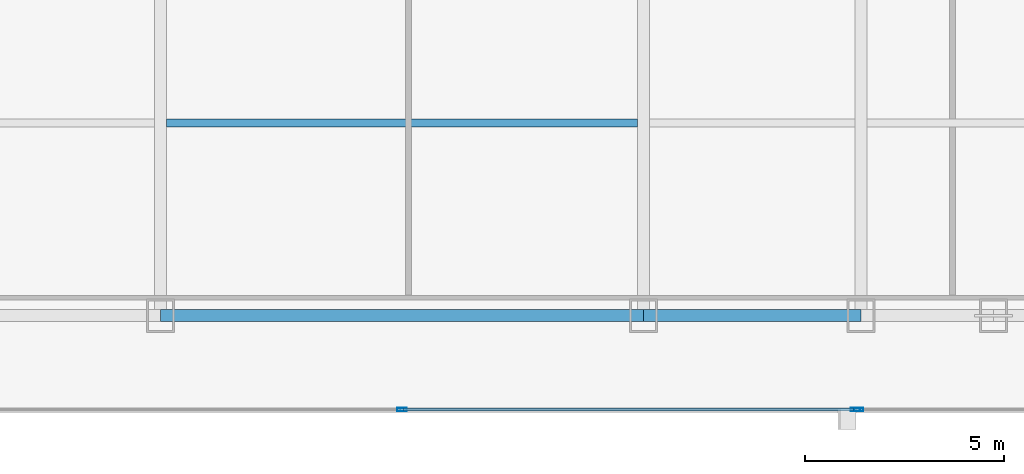
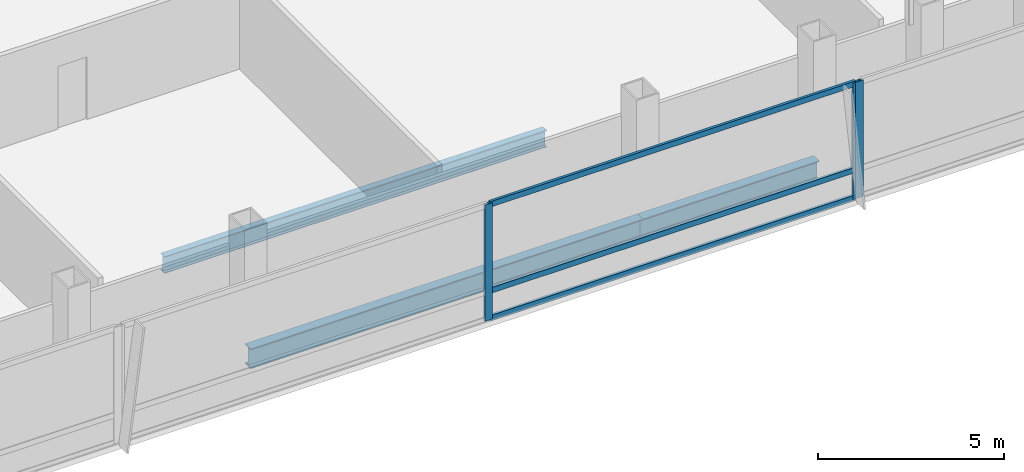
# One storey, part 13 of 30: 6 members, 3 beams, 2 elements without a shape of their own.
"""IFC4 building model written with IfcOpenShell, lengths in metres."""

from ifc_helpers import new_model, si_unit, direction, frame, origin, origin_2d, place, context, subcontext, project, spatial, hollow_rectangle, i_section, extrude, material, material_profile, profile_set, type_object, element, aggregate, save


model = new_model("IFC4")

# Units and contexts
model_context = context("Model", 3, precision=1e-05, world=origin(), true_north=direction((0.0, 1.0)))
body_context = subcontext(model_context, "Body", "Model", "MODEL_VIEW")
ifc_project = project(units=[si_unit("LENGTHUNIT", "METRE"), si_unit("AREAUNIT", "SQUARE_METRE"), si_unit("VOLUMEUNIT", "CUBIC_METRE"), si_unit("PLANEANGLEUNIT", "RADIAN"), si_unit("MASSUNIT", "GRAM", prefix="KILO")], contexts=[model_context])

# Site, building, storey
site_placement = place(None, origin())
site = spatial("IfcSite", under=ifc_project, at=site_placement, CompositionType="ELEMENT")
building_placement = place(site_placement, origin())
building = spatial("IfcBuilding", under=site, at=building_placement, Name="Khoronbel Lancet Exchange", CompositionType="ELEMENT")
storey_placement = place(building_placement, frame((0.0, 0.0, 90.60009765625)))
storey = spatial("IfcBuildingStorey", under=building, at=storey_placement, Name="L21", CompositionType="ELEMENT", Elevation=90.60009765625)

# Beams
ifc_material_1 = material(Name="Steel S355", Category="steel")
ifc_material_profile_1 = material_profile(ifc_material_1, i_section(OverallWidth=0.2099609375, OverallDepth=0.550048828125, WebThickness=0.010986328125, FlangeThickness=0.01708984375, at=origin_2d()), Name="IPE 550")
ifc_profile_set_1 = profile_set([ifc_material_profile_1], Name="Steel S355")
beam_type_1 = type_object("IfcBeamType", Name="BM-BJ2", PredefinedType="JOIST", material=ifc_profile_set_1)
beam_1_placement = place(storey_placement, frame((30.52490234375, 15.0, -0.455078125), z_axis=(1.0, 0.0, 0.0), x_axis=(0.0, 1.0, 0.0)))
element("IfcBeam", 1, at=beam_1_placement, inside=storey, type_object=beam_type_1, Name="Level L21 secondary composite joist J03", PredefinedType="JOIST", context=body_context, shape_type="SweptSolid", body=[
    extrude(i_section(OverallWidth=0.2099609375, OverallDepth=0.550048828125, WebThickness=0.010986328125, FlangeThickness=0.01708984375, at=origin_2d()), origin(), (0.0, 0.0, 1.0), 11.85009765625),
])
ifc_material_profile_2 = material_profile(ifc_material_1, i_section(OverallWidth=0.300048828125, OverallDepth=0.64990234375, WebThickness=0.01611328125, FlangeThickness=0.031005859375, at=origin_2d()), Name="HEB 650")
ifc_profile_set_2 = profile_set([ifc_material_profile_2], Name="Steel S355")
beam_type_2 = type_object("IfcBeamType", Name="BM-BSP1", PredefinedType="SPANDREL", material=ifc_profile_set_2)
beam_2_placement = place(storey_placement, frame((30.375, 10.14990234375, -0.505126953125), z_axis=(1.0, 0.0, 0.0), x_axis=(0.0, 1.0, 0.0)))
element("IfcBeam", 2, at=beam_2_placement, inside=storey, type_object=beam_type_2, Name="Level L21 perimeter spandrel beam SP05", PredefinedType="SPANDREL", context=body_context, shape_type="SweptSolid", body=[
    extrude(i_section(OverallWidth=0.300048828125, OverallDepth=0.64990234375, WebThickness=0.01611328125, FlangeThickness=0.031005859375, at=origin_2d()), origin(), (0.0, 0.0, 1.0), 12.14990234375),
])
beam_3_placement = place(storey_placement, frame((42.52490234375, 10.14990234375, -0.505126953125), z_axis=(1.0, 0.0, 0.0), x_axis=(0.0, 1.0, 0.0)))
element("IfcBeam", 3, at=beam_3_placement, inside=storey, type_object=beam_type_2, Name="Level L21 perimeter spandrel beam SP06", PredefinedType="SPANDREL", context=body_context, shape_type="SweptSolid", body=[
    extrude(i_section(OverallWidth=0.300048828125, OverallDepth=0.64990234375, WebThickness=0.01611328125, FlangeThickness=0.031005859375, at=origin_2d()), origin(), (0.0, 0.0, 1.0), 5.47509765625),
])

# Curtain wall, members
ifc_material_2 = material(Name="Low-E Solar Control Insulating Glass", Category="glass")
curtain_wall_type = type_object("IfcCurtainWallType", Name="CW-2", PredefinedType="NOTDEFINED", material=ifc_material_2)
curtain_wall_1_placement = place(storey_placement, origin())
curtain_wall_1 = element("IfcCurtainWall", 4, at=curtain_wall_1_placement, inside=storey, type_object=curtain_wall_type, Name="Unitised curtain wall CW-L21-SCV", PredefinedType="NOTDEFINED")
ifc_material_3 = material(Name="Bronze-Anodised Aluminium 6063-T6", Category="aluminium")
ifc_material_profile_3 = material_profile(ifc_material_3, hollow_rectangle(XDim=0.0849609375, YDim=0.239990234375, WallThickness=0.006103515625, at=origin_2d()), Name="ALU MULLION 85x240")
ifc_profile_set_3 = profile_set([ifc_material_profile_3], Name="Bronze-Anodised Aluminium 6063-T6")
member_type_1 = type_object("IfcMemberType", Name="MEM-CWM1", PredefinedType="MULLION", material=ifc_profile_set_3)
member_1_placement = place(storey_placement, frame((36.449951171875, 7.7900390625, 0.0), z_axis=(0.0, 0.0, 1.0), x_axis=(0.0, 1.0, 0.0)))
member_1 = element("IfcMember", 5, at=member_1_placement, type_object=member_type_1, Name="CW2 mullion 2", PredefinedType="MULLION", context=body_context, shape_type="SweptSolid", body=[
    extrude(hollow_rectangle(XDim=0.0849609375, YDim=0.239990234375, WallThickness=0.006103515625, at=origin_2d()), origin(), (0.0, 0.0, 1.0), 3.81982421875),
])
member_2_placement = place(storey_placement, frame((47.857421875, 7.7900390625, 0.0), z_axis=(0.0, 0.0, 1.0), x_axis=(0.0, 1.0, 0.0)))
member_2 = element("IfcMember", 6, at=member_2_placement, type_object=member_type_1, Name="CW2 mullion 3", PredefinedType="MULLION", context=body_context, shape_type="SweptSolid", body=[
    extrude(hollow_rectangle(XDim=0.0849609375, YDim=0.239990234375, WallThickness=0.006103515625, at=origin_2d()), origin(), (0.0, 0.0, 1.0), 3.81982421875),
])

# Curtain wall, member
curtain_wall_2_placement = place(storey_placement, origin())
curtain_wall_2 = element("IfcCurtainWall", 7, at=curtain_wall_2_placement, inside=storey, type_object=curtain_wall_type, Name="Unitised curtain wall CW-L21-SEB", PredefinedType="NOTDEFINED")
member_3_placement = place(storey_placement, frame((47.9423828125, 7.7900390625, 0.0), z_axis=(0.0, 0.0, 1.0), x_axis=(0.0, 1.0, 0.0)))
member_3 = element("IfcMember", 8, at=member_3_placement, type_object=member_type_1, Name="CW2 mullion 1", PredefinedType="MULLION", context=body_context, shape_type="SweptSolid", body=[
    extrude(hollow_rectangle(XDim=0.0849609375, YDim=0.239990234375, WallThickness=0.006103515625, at=origin_2d()), origin(), (0.0, 0.0, 1.0), 3.81982421875),
])
aggregate(curtain_wall_2, [member_3])

# Member
ifc_material_profile_4 = material_profile(ifc_material_3, hollow_rectangle(XDim=0.0849609375, YDim=0.179931640625, WallThickness=0.0048828125, at=origin_2d()), Name="ALU TRANSOM 85x180")
ifc_profile_set_4 = profile_set([ifc_material_profile_4], Name="Bronze-Anodised Aluminium 6063-T6")
member_type_2 = type_object("IfcMemberType", Name="MEM-CWT1", PredefinedType="USERDEFINED", material=ifc_profile_set_4)
member_4_placement = place(storey_placement, frame((36.492431640625, 7.7900390625, 0.04248046875), z_axis=(1.0, 0.0, 0.0), x_axis=(0.0, 1.0, 0.0)))
member_4 = element("IfcMember", 9, at=member_4_placement, type_object=member_type_2, Name="CW2 transom 2.1", ObjectType="TRANSOM", PredefinedType="USERDEFINED", context=body_context, shape_type="SweptSolid", body=[
    extrude(hollow_rectangle(XDim=0.0849609375, YDim=0.179931640625, WallThickness=0.0048828125, at=origin_2d()), origin(), (0.0, 0.0, 1.0), 11.322509765625),
])

member_5_placement = place(storey_placement, frame((36.492431640625, 7.7900390625, 0.949951171875), z_axis=(1.0, 0.0, 0.0), x_axis=(0.0, 1.0, 0.0)))
member_5 = element("IfcMember", 10, at=member_5_placement, type_object=member_type_2, Name="CW2 transom 2.2", ObjectType="TRANSOM", PredefinedType="USERDEFINED", context=body_context, shape_type="SweptSolid", body=[
    extrude(hollow_rectangle(XDim=0.0849609375, YDim=0.179931640625, WallThickness=0.0048828125, at=origin_2d()), origin(), (0.0, 0.0, 1.0), 11.322509765625),
])

member_6_placement = place(storey_placement, frame((36.492431640625, 7.7900390625, 3.77734375), z_axis=(1.0, 0.0, 0.0), x_axis=(0.0, 1.0, 0.0)))
member_6 = element("IfcMember", 11, at=member_6_placement, type_object=member_type_2, Name="CW2 transom 2.3", ObjectType="TRANSOM", PredefinedType="USERDEFINED", context=body_context, shape_type="SweptSolid", body=[
    extrude(hollow_rectangle(XDim=0.0849609375, YDim=0.179931640625, WallThickness=0.0048828125, at=origin_2d()), origin(), (0.0, 0.0, 1.0), 11.322509765625),
])

aggregate(curtain_wall_1, [member_1, member_2, member_4, member_5, member_6])

save(model, "model.ifc")
